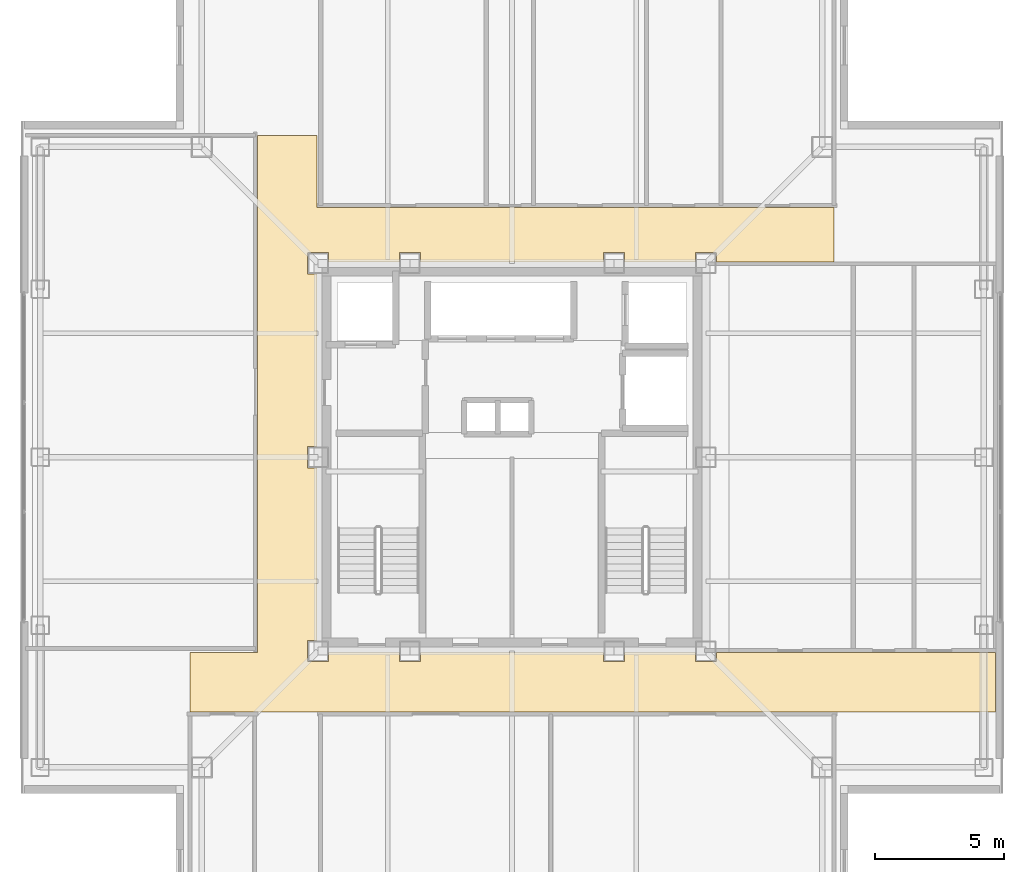
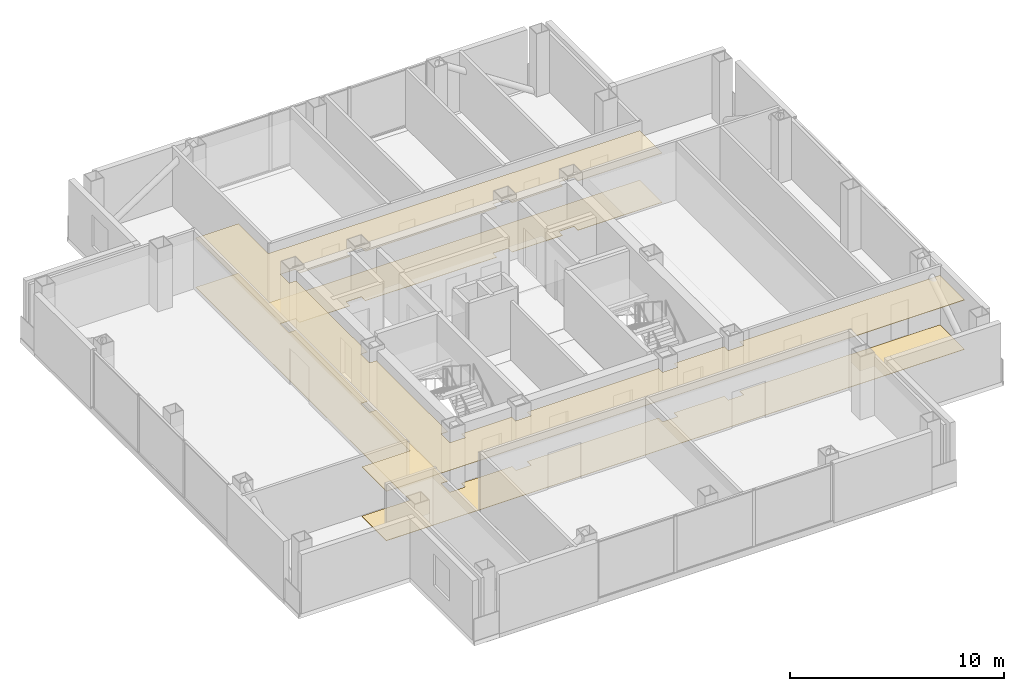
# One storey, part 14 of 16: 2 coverings.
"""IFC4 building model written with IfcOpenShell, lengths in metres."""

from ifc_helpers import new_model, si_unit, direction, frame, origin, place, context, subcontext, project, spatial, polyline, outline, extrude, material, layer, layer_set, type_object, element, save


model = new_model("IFC4")

# Units and contexts
model_context = context("Model", 3, precision=1e-05, world=origin(), true_north=direction((0.0, 1.0)))
body_context = subcontext(model_context, "Body", "Model", "MODEL_VIEW")
ifc_project = project(units=[si_unit("LENGTHUNIT", "METRE"), si_unit("AREAUNIT", "SQUARE_METRE"), si_unit("VOLUMEUNIT", "CUBIC_METRE"), si_unit("PLANEANGLEUNIT", "RADIAN"), si_unit("MASSUNIT", "GRAM", prefix="KILO")], contexts=[model_context])

# Site, building, storey
site_placement = place(None, origin())
site = spatial("IfcSite", under=ifc_project, at=site_placement, CompositionType="ELEMENT")
building_placement = place(site_placement, origin())
building = spatial("IfcBuilding", under=site, at=building_placement, Name="Trevonay Congress Spire", CompositionType="ELEMENT")
storey_placement = place(building_placement, frame((0.0, 0.0, 268.39990234375)))
storey = spatial("IfcBuildingStorey", under=building, at=storey_placement, Name="L70", CompositionType="ELEMENT", Elevation=268.39990234375)

# Coverings
ifc_material_1 = material(Name="Acoustic Mineral Fibre Board", Category="gypsum")
ifc_layer_1 = layer(ifc_material_1, 0.02490234375, Name="Acoustic Mineral Fibre Board")
ifc_layer_set_1 = layer_set([ifc_layer_1], Name="Acoustic Mineral Fibre Board")
covering_type_1 = type_object("IfcCoveringType", Name="COV-CEIL-ACOUSTIC", PredefinedType="CEILING", material=ifc_layer_set_1)
covering_1_placement = place(storey_placement, frame((0.0, 0.0, 2.81005859375)))
element("IfcCovering", 1, at=covering_1_placement, inside=storey, type_object=covering_type_1, Name="L70 Cruciform Boulevard Corridor acoustic suspended ceiling", PredefinedType="CEILING", context=body_context, shape_type="SweptSolid", body=[
    extrude(outline(polyline([(18.699951171875, -7.550048828125), (18.699951171875, -9.85009765625), (-12.449951171875, -9.85009765625), (-12.449951171875, -7.550048828125), (-9.85009765625, -7.550048828125), (-9.85009765625, 12.449951171875), (-7.550048828125, 12.449951171875), (-7.550048828125, 9.64990234375), (12.449951171875, 9.64990234375), (12.449951171875, 7.550048828125), (7.909912109375, 7.550048828125), (7.909912109375, 7.909912109375), (7.090087890625, 7.909912109375), (7.090087890625, 7.550048828125), (4.360107421875, 7.550048828125), (4.360107421875, 7.909912109375), (3.5400390625, 7.909912109375), (3.5400390625, 7.550048828125), (-3.5400390625, 7.550048828125), (-3.5400390625, 7.909912109375), (-4.360107421875, 7.909912109375), (-4.360107421875, 7.550048828125), (-7.090087890625, 7.550048828125), (-7.090087890625, 7.909912109375), (-7.909912109375, 7.909912109375), (-7.909912109375, 7.090087890625), (-7.550048828125, 7.090087890625), (-7.550048828125, 0.409912109375), (-7.909912109375, 0.409912109375), (-7.909912109375, -0.409912109375), (-7.550048828125, -0.409912109375), (-7.550048828125, -7.090087890625), (-7.909912109375, -7.090087890625), (-7.909912109375, -7.909912109375), (-7.090087890625, -7.909912109375), (-7.090087890625, -7.550048828125), (-4.360107421875, -7.550048828125), (-4.360107421875, -7.909912109375), (-3.5400390625, -7.909912109375), (-3.5400390625, -7.550048828125), (3.5400390625, -7.550048828125), (3.5400390625, -7.909912109375), (4.360107421875, -7.909912109375), (4.360107421875, -7.550048828125), (7.090087890625, -7.550048828125), (7.090087890625, -7.909912109375), (7.909912109375, -7.909912109375), (7.909912109375, -7.550048828125), (18.699951171875, -7.550048828125)])), origin(), (0.0, 0.0, 1.0), 0.025146484375),
])
ifc_material_2 = material(Name="Polished Granite Floor Tile", Category="masonry")
ifc_layer_2 = layer(ifc_material_2, 0.02001953125, Name="Polished Granite Floor Tile")
ifc_layer_set_2 = layer_set([ifc_layer_2], Name="Polished Granite Floor Tile")
covering_type_2 = type_object("IfcCoveringType", Name="COV-FLOOR-STONE", PredefinedType="FLOORING", material=ifc_layer_set_2)
covering_2_placement = place(storey_placement, origin())
element("IfcCovering", 2, at=covering_2_placement, inside=storey, type_object=covering_type_2, Name="L70 Cruciform Boulevard Corridor floor finish", PredefinedType="FLOORING", context=body_context, shape_type="SweptSolid", body=[
    extrude(outline(polyline([(18.699951171875, -7.550048828125), (18.699951171875, -9.85009765625), (-12.449951171875, -9.85009765625), (-12.449951171875, -7.550048828125), (-9.85009765625, -7.550048828125), (-9.85009765625, 12.449951171875), (-7.550048828125, 12.449951171875), (-7.550048828125, 9.64990234375), (12.449951171875, 9.64990234375), (12.449951171875, 7.550048828125), (7.909912109375, 7.550048828125), (7.909912109375, 7.909912109375), (7.090087890625, 7.909912109375), (7.090087890625, 7.550048828125), (4.360107421875, 7.550048828125), (4.360107421875, 7.909912109375), (3.5400390625, 7.909912109375), (3.5400390625, 7.550048828125), (-3.5400390625, 7.550048828125), (-3.5400390625, 7.909912109375), (-4.360107421875, 7.909912109375), (-4.360107421875, 7.550048828125), (-7.090087890625, 7.550048828125), (-7.090087890625, 7.909912109375), (-7.909912109375, 7.909912109375), (-7.909912109375, 7.090087890625), (-7.550048828125, 7.090087890625), (-7.550048828125, 0.409912109375), (-7.909912109375, 0.409912109375), (-7.909912109375, -0.409912109375), (-7.550048828125, -0.409912109375), (-7.550048828125, -7.090087890625), (-7.909912109375, -7.090087890625), (-7.909912109375, -7.909912109375), (-7.090087890625, -7.909912109375), (-7.090087890625, -7.550048828125), (-4.360107421875, -7.550048828125), (-4.360107421875, -7.909912109375), (-3.5400390625, -7.909912109375), (-3.5400390625, -7.550048828125), (3.5400390625, -7.550048828125), (3.5400390625, -7.909912109375), (4.360107421875, -7.909912109375), (4.360107421875, -7.550048828125), (7.090087890625, -7.550048828125), (7.090087890625, -7.909912109375), (7.909912109375, -7.909912109375), (7.909912109375, -7.550048828125), (18.699951171875, -7.550048828125)])), origin(), (0.0, 0.0, 1.0), 0.02001953125),
])

save(model, "model.ifc")
